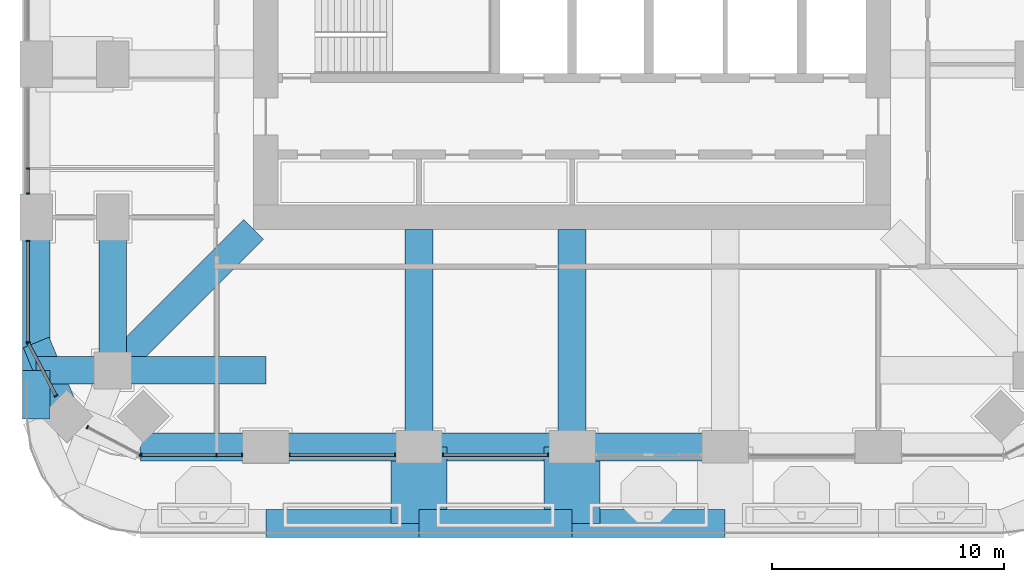
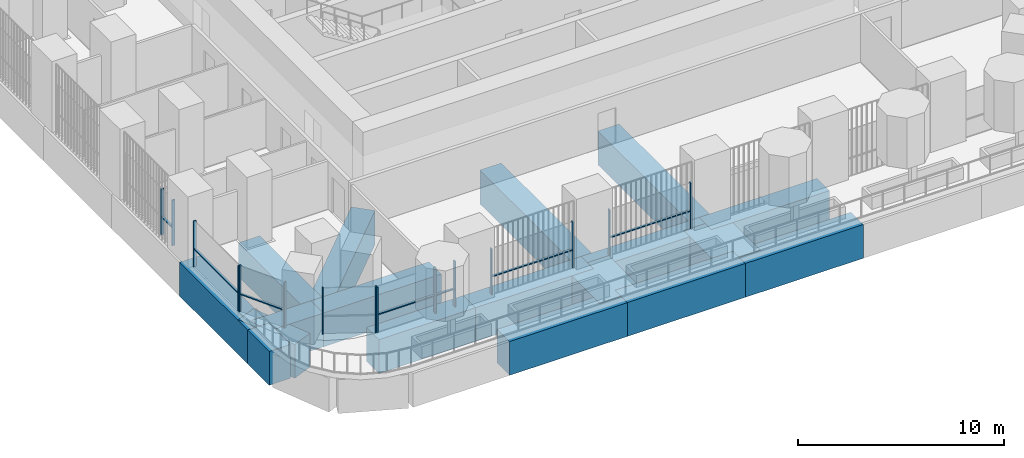
# One storey, part 2 of 22: 22 members, 18 beams, 7 elements without a shape of their own.
"""IFC4 building model written with IfcOpenShell, lengths in metres."""

from ifc_helpers import new_model, si_unit, direction, frame, origin, origin_2d, place, context, subcontext, project, spatial, rectangle, extrude, material, material_profile, profile_set, type_object, element, aggregate, save


model = new_model("IFC4")

# Units and contexts
model_context = context("Model", 3, precision=1e-05, world=origin(), true_north=direction((0.0, 1.0)))
body_context = subcontext(model_context, "Body", "Model", "MODEL_VIEW")
ifc_project = project(units=[si_unit("LENGTHUNIT", "METRE"), si_unit("AREAUNIT", "SQUARE_METRE"), si_unit("VOLUMEUNIT", "CUBIC_METRE"), si_unit("PLANEANGLEUNIT", "RADIAN"), si_unit("MASSUNIT", "GRAM", prefix="KILO")], contexts=[model_context])

# Site, building, storey
site_placement = place(None, origin())
site = spatial("IfcSite", under=ifc_project, at=site_placement, CompositionType="ELEMENT")
building_placement = place(site_placement, origin())
building = spatial("IfcBuilding", under=site, at=building_placement, Name="Cobogo Forest Laboratory Tower", CompositionType="ELEMENT")
storey_placement = place(building_placement, frame((0.0, 0.0, 155.699951171875)))
storey = spatial("IfcBuildingStorey", under=building, at=storey_placement, Name="L35", CompositionType="ELEMENT", Elevation=155.699951171875)

# Curtain wall, members
ifc_material_1 = material(Name="Aluminium curtain wall", Category="aluminium")
curtain_wall_type = type_object("IfcCurtainWallType", Name="CW-2 unitised curtain wall, solar control glazing, laboratory floors zones C and D", PredefinedType="USERDEFINED", material=ifc_material_1)
curtain_wall_1_placement = place(storey_placement, origin())
curtain_wall_1 = element("IfcCurtainWall", 1, at=curtain_wall_1_placement, inside=storey, type_object=curtain_wall_type, Name="Curtain wall 01 L35", ObjectType="UNITISED CURTAIN WALL", PredefinedType="USERDEFINED")
ifc_material_2 = material(Name="Aluminium mullion", Category="aluminium")
ifc_material_profile_1 = material_profile(ifc_material_2, rectangle(XDim=0.06005859375, YDim=0.159912109375, at=origin_2d()), Name="AL 60x160")
ifc_profile_set_1 = profile_set([ifc_material_profile_1], Name="Aluminium mullion")
member_type_1 = type_object("IfcMemberType", Name="MU-1 aluminium mullion 60x160", PredefinedType="MULLION", material=ifc_profile_set_1)
member_1_placement = place(storey_placement, frame((7.830078125, 2.949951171875, 0.0), z_axis=(0.0, 0.0, 1.0), x_axis=(1.0, 0.0, 0.0)))
member_1 = element("IfcMember", 2, at=member_1_placement, type_object=member_type_1, Name="CW-2 mullion 1", PredefinedType="MULLION", context=body_context, shape_type="SweptSolid", body=[
    extrude(rectangle(XDim=0.06005859375, YDim=0.159912109375, at=origin_2d()), origin(), (0.0, 0.0, 1.0), 2.699951171875),
])
member_2_placement = place(storey_placement, frame((11.074951171875, 2.949951171875, 0.0), z_axis=(0.0, 0.0, 1.0), x_axis=(1.0, 0.0, 0.0)))
member_2 = element("IfcMember", 3, at=member_2_placement, type_object=member_type_1, Name="CW-2 mullion 2", PredefinedType="MULLION", context=body_context, shape_type="SweptSolid", body=[
    extrude(rectangle(XDim=0.06005859375, YDim=0.159912109375, at=origin_2d()), origin(), (0.0, 0.0, 1.0), 2.699951171875),
])
member_3_placement = place(storey_placement, frame((12.169921875, 2.949951171875, 0.0), z_axis=(0.0, 0.0, 1.0), x_axis=(1.0, 0.0, 0.0)))
member_3 = element("IfcMember", 4, at=member_3_placement, type_object=member_type_1, Name="CW-2 mullion 3", PredefinedType="MULLION", context=body_context, shape_type="SweptSolid", body=[
    extrude(rectangle(XDim=0.06005859375, YDim=0.159912109375, at=origin_2d()), origin(), (0.0, 0.0, 1.0), 2.699951171875),
])

curtain_wall_2_placement = place(storey_placement, origin())
curtain_wall_2 = element("IfcCurtainWall", 5, at=curtain_wall_2_placement, inside=storey, type_object=curtain_wall_type, Name="Curtain wall 02 L35", ObjectType="UNITISED CURTAIN WALL", PredefinedType="USERDEFINED")
member_4_placement = place(storey_placement, frame((14.22998046875, 2.949951171875, 0.0), z_axis=(0.0, 0.0, 1.0), x_axis=(1.0, 0.0, 0.0)))
member_4 = element("IfcMember", 6, at=member_4_placement, type_object=member_type_1, Name="CW-2 mullion 1", PredefinedType="MULLION", context=body_context, shape_type="SweptSolid", body=[
    extrude(rectangle(XDim=0.06005859375, YDim=0.159912109375, at=origin_2d()), origin(), (0.0, 0.0, 1.0), 2.699951171875),
])
member_5_placement = place(storey_placement, frame((18.77001953125, 2.949951171875, 0.0), z_axis=(0.0, 0.0, 1.0), x_axis=(1.0, 0.0, 0.0)))
member_5 = element("IfcMember", 7, at=member_5_placement, type_object=member_type_1, Name="CW-2 mullion 2", PredefinedType="MULLION", context=body_context, shape_type="SweptSolid", body=[
    extrude(rectangle(XDim=0.06005859375, YDim=0.159912109375, at=origin_2d()), origin(), (0.0, 0.0, 1.0), 2.699951171875),
])

curtain_wall_3_placement = place(storey_placement, origin())
curtain_wall_3 = element("IfcCurtainWall", 8, at=curtain_wall_3_placement, inside=storey, type_object=curtain_wall_type, Name="Curtain wall 03 L35", ObjectType="UNITISED CURTAIN WALL", PredefinedType="USERDEFINED")
member_6_placement = place(storey_placement, frame((20.830078125, 2.949951171875, 0.0), z_axis=(0.0, 0.0, 1.0), x_axis=(1.0, 0.0, 0.0)))
member_6 = element("IfcMember", 9, at=member_6_placement, type_object=member_type_1, Name="CW-2 mullion 1", PredefinedType="MULLION", context=body_context, shape_type="SweptSolid", body=[
    extrude(rectangle(XDim=0.06005859375, YDim=0.159912109375, at=origin_2d()), origin(), (0.0, 0.0, 1.0), 2.699951171875),
])
member_7_placement = place(storey_placement, frame((25.3701171875, 2.949951171875, 0.0), z_axis=(0.0, 0.0, 1.0), x_axis=(1.0, 0.0, 0.0)))
member_7 = element("IfcMember", 10, at=member_7_placement, type_object=member_type_1, Name="CW-2 mullion 2", PredefinedType="MULLION", context=body_context, shape_type="SweptSolid", body=[
    extrude(rectangle(XDim=0.06005859375, YDim=0.159912109375, at=origin_2d()), origin(), (0.0, 0.0, 1.0), 2.699951171875),
])

curtain_wall_4_placement = place(storey_placement, origin())
curtain_wall_4 = element("IfcCurtainWall", 11, at=curtain_wall_4_placement, inside=storey, type_object=curtain_wall_type, Name="Curtain wall 27 L35", ObjectType="UNITISED CURTAIN WALL", PredefinedType="USERDEFINED")
member_8_placement = place(storey_placement, frame((2.949951171875, 15.300048828125, 0.0), z_axis=(0.0, 0.0, 1.0), x_axis=(0.0, -1.0, 0.0)))
member_8 = element("IfcMember", 12, at=member_8_placement, type_object=member_type_1, Name="CW-2 mullion 2", PredefinedType="MULLION", context=body_context, shape_type="SweptSolid", body=[
    extrude(rectangle(XDim=0.06005859375, YDim=0.159912109375, at=origin_2d()), origin(), (0.0, 0.0, 1.0), 2.699951171875),
])
member_9_placement = place(storey_placement, frame((2.949951171875, 14.22998046875, 0.0), z_axis=(0.0, 0.0, 1.0), x_axis=(0.0, -1.0, 0.0)))
member_9 = element("IfcMember", 13, at=member_9_placement, type_object=member_type_1, Name="CW-2 mullion 3", PredefinedType="MULLION", context=body_context, shape_type="SweptSolid", body=[
    extrude(rectangle(XDim=0.06005859375, YDim=0.159912109375, at=origin_2d()), origin(), (0.0, 0.0, 1.0), 2.699951171875),
])

curtain_wall_5_placement = place(storey_placement, origin())
curtain_wall_5 = element("IfcCurtainWall", 14, at=curtain_wall_5_placement, inside=storey, type_object=curtain_wall_type, Name="Curtain wall 28 L35", ObjectType="UNITISED CURTAIN WALL", PredefinedType="USERDEFINED")
member_10_placement = place(storey_placement, frame((2.949951171875, 12.169921875, 0.0), z_axis=(0.0, 0.0, 1.0), x_axis=(0.0, -1.0, 0.0)))
member_10 = element("IfcMember", 15, at=member_10_placement, type_object=member_type_1, Name="CW-2 mullion 1", PredefinedType="MULLION", context=body_context, shape_type="SweptSolid", body=[
    extrude(rectangle(XDim=0.06005859375, YDim=0.159912109375, at=origin_2d()), origin(), (0.0, 0.0, 1.0), 2.699951171875),
])
member_11_placement = place(storey_placement, frame((2.949951171875, 7.830078125, 0.0), z_axis=(0.0, 0.0, 1.0), x_axis=(0.0, -1.0, 0.0)))
member_11 = element("IfcMember", 16, at=member_11_placement, type_object=member_type_1, Name="CW-2 mullion 2", PredefinedType="MULLION", context=body_context, shape_type="SweptSolid", body=[
    extrude(rectangle(XDim=0.06005859375, YDim=0.159912109375, at=origin_2d()), origin(), (0.0, 0.0, 1.0), 2.699951171875),
])

curtain_wall_6_placement = place(storey_placement, origin())
curtain_wall_6 = element("IfcCurtainWall", 17, at=curtain_wall_6_placement, inside=storey, type_object=curtain_wall_type, Name="Curtain wall 29 L35", ObjectType="UNITISED CURTAIN WALL", PredefinedType="USERDEFINED")
member_12_placement = place(storey_placement, frame((2.9638671875, 7.7734375, 0.0), z_axis=(0.0, 0.0, 1.0), x_axis=(0.464283723321, -0.885686527085, 0.0)))
member_12 = element("IfcMember", 18, at=member_12_placement, type_object=member_type_1, Name="CW-2 mullion 1", PredefinedType="MULLION", context=body_context, shape_type="SweptSolid", body=[
    extrude(rectangle(XDim=0.06005859375, YDim=0.159912109375, at=origin_2d()), origin(), (0.0, 0.0, 1.0), 2.699951171875),
])
member_13_placement = place(storey_placement, frame((4.15185546875, 5.507568359375, 0.0), z_axis=(0.0, 0.0, 1.0), x_axis=(0.464283723321, -0.885686527085, 0.0)))
member_13 = element("IfcMember", 19, at=member_13_placement, type_object=member_type_1, Name="CW-2 mullion 2", PredefinedType="MULLION", context=body_context, shape_type="SweptSolid", body=[
    extrude(rectangle(XDim=0.06005859375, YDim=0.159912109375, at=origin_2d()), origin(), (0.0, 0.0, 1.0), 2.699951171875),
])

curtain_wall_7_placement = place(storey_placement, origin())
curtain_wall_7 = element("IfcCurtainWall", 20, at=curtain_wall_7_placement, inside=storey, type_object=curtain_wall_type, Name="Curtain wall 30 L35", ObjectType="UNITISED CURTAIN WALL", PredefinedType="USERDEFINED")
member_14_placement = place(storey_placement, frame((5.507568359375, 4.15185546875, 0.0), z_axis=(0.0, 0.0, 1.0), x_axis=(0.885686527085, -0.464283723321, 0.0)))
member_14 = element("IfcMember", 21, at=member_14_placement, type_object=member_type_1, Name="CW-2 mullion 1", PredefinedType="MULLION", context=body_context, shape_type="SweptSolid", body=[
    extrude(rectangle(XDim=0.06005859375, YDim=0.159912109375, at=origin_2d()), origin(), (0.0, 0.0, 1.0), 2.699951171875),
])
member_15_placement = place(storey_placement, frame((7.7734375, 2.9638671875, 0.0), z_axis=(0.0, 0.0, 1.0), x_axis=(0.885686527085, -0.464283723321, 0.0)))
member_15 = element("IfcMember", 22, at=member_15_placement, type_object=member_type_1, Name="CW-2 mullion 2", PredefinedType="MULLION", context=body_context, shape_type="SweptSolid", body=[
    extrude(rectangle(XDim=0.06005859375, YDim=0.159912109375, at=origin_2d()), origin(), (0.0, 0.0, 1.0), 2.699951171875),
])
aggregate(curtain_wall_7, [member_14, member_15])

# Beams
ifc_material_3 = material(Name="Concrete HA-50 (C50/60)", Category="concrete")
ifc_material_profile_2 = material_profile(ifc_material_3, rectangle(XDim=2.39990234375, YDim=2.0, at=origin_2d()), Name="RC 2400x2000")
ifc_profile_set_2 = profile_set([ifc_material_profile_2], Name="Concrete HA-50 (C50/60)")
beam_type_1 = type_object("IfcBeamType", Name="Setback floor end-bay girder 2400x2000", PredefinedType="BEAM", material=ifc_profile_set_2)
for number, where, z_axis, x_axis, name in (
    (23, (19.800048828125, 0.0, -1.300048828125), (0.0, 1.0, 0.0), (-1.0, 0.0, 0.0), "TG3 R-4-S-X L35"),
    (24, (26.39990234375, 0.0, -1.300048828125), (0.0, 1.0, 0.0), (-1.0, 0.0, 0.0), "TG3 R-5-S-X L35"),
):
    element("IfcBeam", number, at=place(storey_placement, frame(where, z_axis=z_axis, x_axis=x_axis)), inside=storey, type_object=beam_type_1, Name=name, PredefinedType="BEAM", context=body_context, shape_type="SweptSolid", body=[
        extrude(rectangle(XDim=2.39990234375, YDim=2.0, at=origin_2d()), origin(), (0.0, 0.0, 1.0), 3.300048828125),
    ])
ifc_material_4 = material(Name="Concrete HA-40 (C40/50)", Category="concrete")
ifc_material_profile_3 = material_profile(ifc_material_4, rectangle(XDim=1.199951171875, YDim=2.0, at=origin_2d()), Name="RC 1200x2000")
ifc_profile_set_3 = profile_set([ifc_material_profile_3], Name="Concrete HA-40 (C40/50)")
beam_type_2 = type_object("IfcBeamType", Name="Setback floor girder 1200x2000", PredefinedType="BEAM", material=ifc_profile_set_3)
for number, where, z_axis, x_axis, name in (
    (25, (19.800048828125, 12.675048828125, -1.300048828125), (0.0, -1.0, 0.0), (1.0, 0.0, 0.0), "TG2 R-4-S L35"),
    (26, (26.39990234375, 12.675048828125, -1.300048828125), (0.0, -1.0, 0.0), (1.0, 0.0, 0.0), "TG2 R-5-S L35"),
):
    element("IfcBeam", number, at=place(storey_placement, frame(where, z_axis=z_axis, x_axis=x_axis)), inside=storey, type_object=beam_type_2, Name=name, PredefinedType="BEAM", context=body_context, shape_type="SweptSolid", body=[
        extrude(rectangle(XDim=1.199951171875, YDim=2.0, at=origin_2d()), origin(), (0.0, 0.0, 1.0), 9.375),
    ])
beam_1_placement = place(storey_placement, frame((6.60009765625, 6.60009765625, -1.300048828125), z_axis=(0.0, 1.0, 0.0), x_axis=(-1.0, 0.0, 0.0)))
element("IfcBeam", 27, at=beam_1_placement, inside=storey, type_object=beam_type_2, Name="TG2 G-SW-XC L35", PredefinedType="BEAM", context=body_context, shape_type="SweptSolid", body=[
    extrude(rectangle(XDim=1.199951171875, YDim=2.0, at=origin_2d()), origin(), (0.0, 0.0, 1.0), 6.599853515625),
])
beam_2_placement = place(storey_placement, frame((3.300048828125, 6.60009765625, -1.300048828125), z_axis=(1.0, 0.0, 0.0), x_axis=(0.0, 1.0, 0.0)))
element("IfcBeam", 28, at=beam_2_placement, inside=storey, type_object=beam_type_2, Name="TG2 G-SW-YF L35", PredefinedType="BEAM", context=body_context, shape_type="SweptSolid", body=[
    extrude(rectangle(XDim=1.199951171875, YDim=2.0, at=origin_2d()), origin(), (0.0, 0.0, 1.0), 3.300048828125),
])
beam_3_placement = place(storey_placement, frame((6.60009765625, 6.60009765625, -1.300048828125), z_axis=(1.0, 0.0, 0.0), x_axis=(0.0, 1.0, 0.0)))
element("IfcBeam", 29, at=beam_3_placement, inside=storey, type_object=beam_type_2, Name="TG2 G-SW-YC L35", PredefinedType="BEAM", context=body_context, shape_type="SweptSolid", body=[
    extrude(rectangle(XDim=1.199951171875, YDim=2.0, at=origin_2d()), origin(), (0.0, 0.0, 1.0), 6.599853515625),
])
beam_4_placement = place(storey_placement, frame((6.60009765625, 6.60009765625, -1.300048828125), z_axis=(0.707106781187, 0.707106781187, 0.0), x_axis=(-0.707106781187, 0.707106781187, 0.0)))
element("IfcBeam", 30, at=beam_4_placement, inside=storey, type_object=beam_type_2, Name="TG2 G-SW-D2 L35", PredefinedType="BEAM", context=body_context, shape_type="SweptSolid", body=[
    extrude(rectangle(XDim=1.199951171875, YDim=2.0, at=origin_2d()), origin(), (0.0, 0.0, 1.0), 8.59130859375),
])
beam_5_placement = place(storey_placement, frame((13.199951171875, 0.0, -1.300048828125), z_axis=(1.0, 0.0, 0.0), x_axis=(0.0, 1.0, 0.0)))
element("IfcBeam", 31, at=beam_5_placement, inside=storey, type_object=beam_type_2, Name="TG2 E-S1 L35", PredefinedType="BEAM", context=body_context, shape_type="SweptSolid", body=[
    extrude(rectangle(XDim=1.199951171875, YDim=2.0, at=origin_2d()), origin(), (0.0, 0.0, 1.0), 6.60009765625),
])
beam_6_placement = place(storey_placement, frame((19.800048828125, 0.0, -1.300048828125), z_axis=(1.0, 0.0, 0.0), x_axis=(0.0, 1.0, 0.0)))
element("IfcBeam", 32, at=beam_6_placement, inside=storey, type_object=beam_type_2, Name="TG2 E-S2 L35", PredefinedType="BEAM", context=body_context, shape_type="SweptSolid", body=[
    extrude(rectangle(XDim=1.199951171875, YDim=2.0, at=origin_2d()), origin(), (0.0, 0.0, 1.0), 6.599853515625),
])
beam_7_placement = place(storey_placement, frame((26.39990234375, 0.0, -1.300048828125), z_axis=(1.0, 0.0, 0.0), x_axis=(0.0, 1.0, 0.0)))
element("IfcBeam", 33, at=beam_7_placement, inside=storey, type_object=beam_type_2, Name="TG2 E-S3 L35", PredefinedType="BEAM", context=body_context, shape_type="SweptSolid", body=[
    extrude(rectangle(XDim=1.199951171875, YDim=2.0, at=origin_2d()), origin(), (0.0, 0.0, 1.0), 6.60009765625),
])
beam_8_placement = place(storey_placement, frame((3.300048828125, 6.60009765625, -1.300048828125), z_axis=(0.0, 1.0, 0.0), x_axis=(-1.0, 0.0, 0.0)))
element("IfcBeam", 34, at=beam_8_placement, inside=storey, type_object=beam_type_2, Name="TG2 E-W1 L35", PredefinedType="BEAM", context=body_context, shape_type="SweptSolid", body=[
    extrude(rectangle(XDim=1.199951171875, YDim=2.0, at=origin_2d()), origin(), (0.0, 0.0, 1.0), 6.599853515625),
])
beam_9_placement = place(storey_placement, frame((3.300048828125, 6.60009765625, -1.300048828125), z_axis=(0.0, -1.0, 0.0), x_axis=(1.0, 0.0, 0.0)))
element("IfcBeam", 35, at=beam_9_placement, inside=storey, type_object=beam_type_2, Name="TG2 E-SWW1 L35", PredefinedType="BEAM", context=body_context, shape_type="SweptSolid", body=[
    extrude(rectangle(XDim=1.199951171875, YDim=2.0, at=origin_2d()), origin(), (0.0, 0.0, 1.0), 2.10009765625),
])
beam_10_placement = place(storey_placement, frame((13.199951171875, 3.300048828125, -1.300048828125), z_axis=(1.0, 0.0, 0.0), x_axis=(0.0, 1.0, 0.0)))
element("IfcBeam", 36, at=beam_10_placement, inside=storey, type_object=beam_type_2, Name="TG2 UE-S1 L35", PredefinedType="BEAM", context=body_context, shape_type="SweptSolid", body=[
    extrude(rectangle(XDim=1.199951171875, YDim=2.0, at=origin_2d()), origin(), (0.0, 0.0, 1.0), 6.60009765625),
])
beam_11_placement = place(storey_placement, frame((19.800048828125, 3.300048828125, -1.300048828125), z_axis=(1.0, 0.0, 0.0), x_axis=(0.0, 1.0, 0.0)))
element("IfcBeam", 37, at=beam_11_placement, inside=storey, type_object=beam_type_2, Name="TG2 UE-S2 L35", PredefinedType="BEAM", context=body_context, shape_type="SweptSolid", body=[
    extrude(rectangle(XDim=1.199951171875, YDim=2.0, at=origin_2d()), origin(), (0.0, 0.0, 1.0), 6.599853515625),
])
beam_12_placement = place(storey_placement, frame((26.39990234375, 3.300048828125, -1.300048828125), z_axis=(1.0, 0.0, 0.0), x_axis=(0.0, 1.0, 0.0)))
element("IfcBeam", 38, at=beam_12_placement, inside=storey, type_object=beam_type_2, Name="TG2 UE-S3 L35", PredefinedType="BEAM", context=body_context, shape_type="SweptSolid", body=[
    extrude(rectangle(XDim=1.199951171875, YDim=2.0, at=origin_2d()), origin(), (0.0, 0.0, 1.0), 6.60009765625),
])
beam_13_placement = place(storey_placement, frame((13.199951171875, 3.300048828125, -1.300048828125), z_axis=(-1.0, 0.0, 0.0), x_axis=(0.0, -1.0, 0.0)))
element("IfcBeam", 39, at=beam_13_placement, inside=storey, type_object=beam_type_2, Name="TG2 UE-SWS1 L35", PredefinedType="BEAM", context=body_context, shape_type="SweptSolid", body=[
    extrude(rectangle(XDim=1.199951171875, YDim=2.0, at=origin_2d()), origin(), (0.0, 0.0, 1.0), 5.39990234375),
])
beam_14_placement = place(storey_placement, frame((3.300048828125, 7.800048828125, -1.300048828125), z_axis=(0.382631424892, -0.923901072997, 0.0), x_axis=(0.923901072997, 0.382631424892, 0.0)))
element("IfcBeam", 40, at=beam_14_placement, inside=storey, type_object=beam_type_2, Name="TG2 UE-SWW2 L35", PredefinedType="BEAM", context=body_context, shape_type="SweptSolid", body=[
    extrude(rectangle(XDim=1.199951171875, YDim=2.0, at=origin_2d()), origin(), (0.0, 0.0, 1.0), 3.4443359375),
])

# Member
ifc_material_5 = material(Name="Aluminium transom", Category="aluminium")
ifc_material_profile_4 = material_profile(ifc_material_5, rectangle(XDim=0.1201171875, YDim=0.06005859375, at=origin_2d()), Name="AL 60x120")
ifc_profile_set_4 = profile_set([ifc_material_profile_4], Name="Aluminium transom")
member_type_2 = type_object("IfcMemberType", Name="TR-1 aluminium transom 60x120", PredefinedType="USERDEFINED", material=ifc_profile_set_4)
member_16_placement = place(storey_placement, frame((7.860107421875, 2.949951171875, 1.050048828125), z_axis=(1.0, 0.0, 0.0), x_axis=(0.0, 1.0, 0.0)))
member_16 = element("IfcMember", 41, at=member_16_placement, type_object=member_type_2, Name="CW-2 transom 1.1", ObjectType="TRANSOM", PredefinedType="USERDEFINED", context=body_context, shape_type="SweptSolid", body=[
    extrude(rectangle(XDim=0.1201171875, YDim=0.06005859375, at=origin_2d()), origin(), (0.0, 0.0, 1.0), 3.184814453125),
])

member_17_placement = place(storey_placement, frame((11.10498046875, 2.949951171875, 1.050048828125), z_axis=(1.0, 0.0, 0.0), x_axis=(0.0, 1.0, 0.0)))
member_17 = element("IfcMember", 42, at=member_17_placement, type_object=member_type_2, Name="CW-2 transom 2.1", ObjectType="TRANSOM", PredefinedType="USERDEFINED", context=body_context, shape_type="SweptSolid", body=[
    extrude(rectangle(XDim=0.1201171875, YDim=0.06005859375, at=origin_2d()), origin(), (0.0, 0.0, 1.0), 1.034912109375),
])

aggregate(curtain_wall_1, [member_1, member_2, member_3, member_16, member_17])

member_18_placement = place(storey_placement, frame((14.260009765625, 2.949951171875, 1.050048828125), z_axis=(1.0, 0.0, 0.0), x_axis=(0.0, 1.0, 0.0)))
member_18 = element("IfcMember", 43, at=member_18_placement, type_object=member_type_2, Name="CW-2 transom 1.1", ObjectType="TRANSOM", PredefinedType="USERDEFINED", context=body_context, shape_type="SweptSolid", body=[
    extrude(rectangle(XDim=0.1201171875, YDim=0.06005859375, at=origin_2d()), origin(), (0.0, 0.0, 1.0), 4.47998046875),
])

aggregate(curtain_wall_2, [member_4, member_5, member_18])

member_19_placement = place(storey_placement, frame((20.860107421875, 2.949951171875, 1.050048828125), z_axis=(1.0, 0.0, 0.0), x_axis=(0.0, 1.0, 0.0)))
member_19 = element("IfcMember", 44, at=member_19_placement, type_object=member_type_2, Name="CW-2 transom 1.1", ObjectType="TRANSOM", PredefinedType="USERDEFINED", context=body_context, shape_type="SweptSolid", body=[
    extrude(rectangle(XDim=0.1201171875, YDim=0.06005859375, at=origin_2d()), origin(), (0.0, 0.0, 1.0), 4.47998046875),
])

aggregate(curtain_wall_3, [member_6, member_7, member_19])

member_20_placement = place(storey_placement, frame((2.949951171875, 15.27001953125, 1.050048828125), z_axis=(0.0, -1.0, 0.0), x_axis=(1.0, 0.0, 0.0)))
member_20 = element("IfcMember", 45, at=member_20_placement, type_object=member_type_2, Name="CW-2 transom 2.1", ObjectType="TRANSOM", PredefinedType="USERDEFINED", context=body_context, shape_type="SweptSolid", body=[
    extrude(rectangle(XDim=0.1201171875, YDim=0.06005859375, at=origin_2d()), origin(), (0.0, 0.0, 1.0), 1.010009765625),
])

aggregate(curtain_wall_4, [member_8, member_9, member_20])

member_21_placement = place(storey_placement, frame((2.949951171875, 12.139892578125, 1.050048828125), z_axis=(0.0, -1.0, 0.0), x_axis=(1.0, 0.0, 0.0)))
member_21 = element("IfcMember", 46, at=member_21_placement, type_object=member_type_2, Name="CW-2 transom 1.1", ObjectType="TRANSOM", PredefinedType="USERDEFINED", context=body_context, shape_type="SweptSolid", body=[
    extrude(rectangle(XDim=0.1201171875, YDim=0.06005859375, at=origin_2d()), origin(), (0.0, 0.0, 1.0), 4.27978515625),
])

aggregate(curtain_wall_5, [member_10, member_11, member_21])

member_22_placement = place(storey_placement, frame((2.977783203125, 7.746826171875, 1.050048828125), z_axis=(0.464328266824, -0.885663175608, 0.0), x_axis=(0.885663175608, 0.464328266824, 0.0)))
member_22 = element("IfcMember", 47, at=member_22_placement, type_object=member_type_2, Name="CW-2 transom 1.1", ObjectType="TRANSOM", PredefinedType="USERDEFINED", context=body_context, shape_type="SweptSolid", body=[
    extrude(rectangle(XDim=0.1201171875, YDim=0.06005859375, at=origin_2d()), origin(), (0.0, 0.0, 1.0), 2.49853515625),
])

aggregate(curtain_wall_6, [member_12, member_13, member_22])

save(model, "model.ifc")
